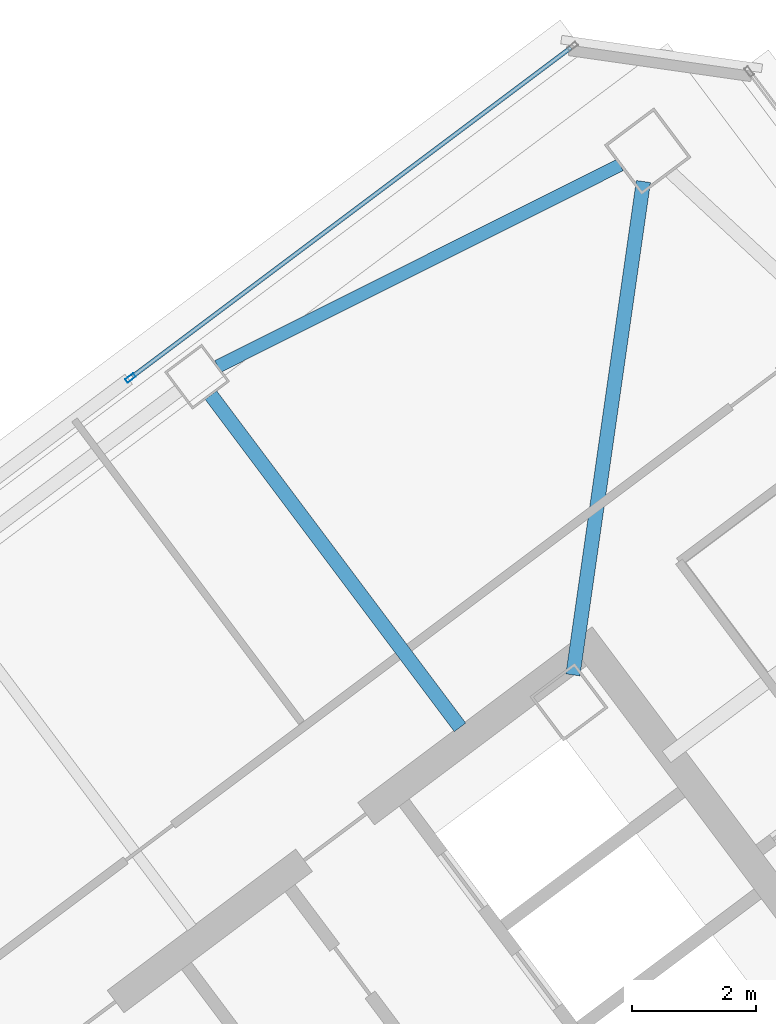
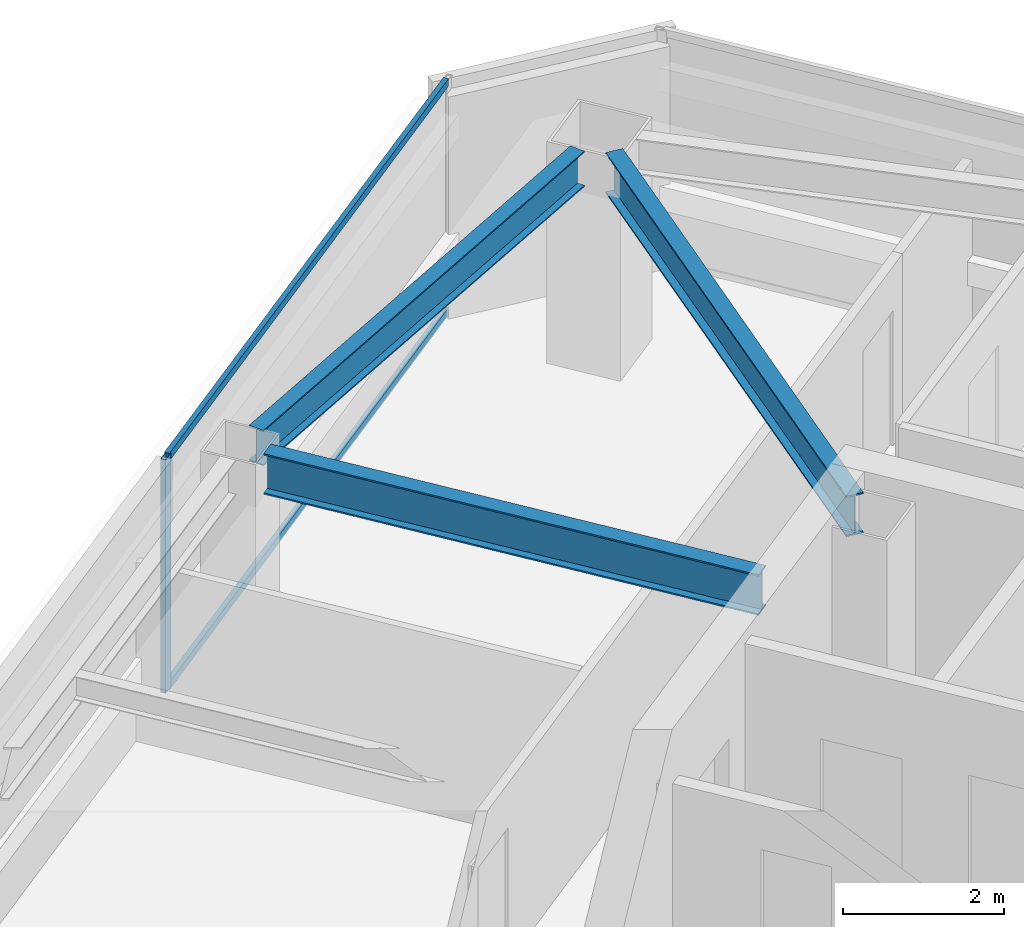
# One storey, part 26 of 39: 3 beams, 3 members, 1 element without a shape of its own.
"""IFC4 building model written with IfcOpenShell, lengths in metres."""

from ifc_helpers import new_model, si_unit, direction, frame, origin, origin_2d, place, context, subcontext, project, spatial, hollow_rectangle, i_section, extrude, material, material_profile, profile_set, type_object, element, aggregate, save


model = new_model("IFC4")

# Units and contexts
model_context = context("Model", 3, precision=1e-05, world=origin(), true_north=direction((0.0, 1.0)))
body_context = subcontext(model_context, "Body", "Model", "MODEL_VIEW")
ifc_project = project(units=[si_unit("LENGTHUNIT", "METRE"), si_unit("AREAUNIT", "SQUARE_METRE"), si_unit("VOLUMEUNIT", "CUBIC_METRE"), si_unit("PLANEANGLEUNIT", "RADIAN"), si_unit("MASSUNIT", "GRAM", prefix="KILO")], contexts=[model_context])

# Site, building, storey
site_placement = place(None, origin())
site = spatial("IfcSite", under=ifc_project, at=site_placement, CompositionType="ELEMENT")
building_placement = place(site_placement, origin())
building = spatial("IfcBuilding", under=site, at=building_placement, Name="Tashvorn Skyway Center", CompositionType="ELEMENT")
storey_placement = place(building_placement, frame((0.0, 0.0, 207.75)))
storey = spatial("IfcBuildingStorey", under=building, at=storey_placement, Name="L56", CompositionType="ELEMENT", Elevation=207.75)

# Beams
ifc_material_1 = material(Name="Steel ASTM A992 Grade 50", Category="steel")
ifc_material_profile_1 = material_profile(ifc_material_1, i_section(OverallWidth=0.22998046875, OverallDepth=0.616943359375, WebThickness=0.01318359375, FlangeThickness=0.022216796875, at=origin_2d()), Name="W24X94")
ifc_profile_set_1 = profile_set([ifc_material_profile_1], Name="Steel ASTM A992 Grade 50")
beam_type_1 = type_object("IfcBeamType", Name="BM-BEAM-W24X94", PredefinedType="BEAM", material=ifc_profile_set_1)
beam_1_placement = place(storey_placement, frame((116.610107421875, 50.27001953125, 3.0615234375), z_axis=(-0.141438360399, -0.989947064346, 0.0), x_axis=(0.989947064346, -0.141438360399, 0.0)))
element("IfcBeam", 1, at=beam_1_placement, inside=storey, type_object=beam_type_1, Name="Tower 2 L56 Primary Floor Girder MC-NE", PredefinedType="BEAM", context=body_context, shape_type="SweptSolid", body=[
    extrude(i_section(OverallWidth=0.22998046875, OverallDepth=0.616943359375, WebThickness=0.01318359375, FlangeThickness=0.022216796875, at=origin_2d()), origin(), (0.0, 0.0, 1.0), 8.040283203125),
])
beam_2_placement = place(storey_placement, frame((109.632080078125, 46.823974609375, 3.0615234375), z_axis=(0.600011660554, -0.799991254452, 0.0), x_axis=(0.799991254452, 0.600011660554, 0.0)))
element("IfcBeam", 2, at=beam_2_placement, inside=storey, type_object=beam_type_1, Name="Tower 2 L56 Primary Floor Girder FC-N1", PredefinedType="BEAM", context=body_context, shape_type="SweptSolid", body=[
    extrude(i_section(OverallWidth=0.22998046875, OverallDepth=0.616943359375, WebThickness=0.01318359375, FlangeThickness=0.022216796875, at=origin_2d()), origin(), (0.0, 0.0, 1.0), 6.699951171875),
])
ifc_material_profile_2 = material_profile(ifc_material_1, i_section(OverallWidth=0.2109375, OverallDepth=0.5390625, WebThickness=0.01171875, FlangeThickness=0.018798828125, at=origin_2d()), Name="W21X73")
ifc_profile_set_2 = profile_set([ifc_material_profile_2], Name="Steel ASTM A992 Grade 50")
beam_type_2 = type_object("IfcBeamType", Name="BM-SPANDREL-W21X73", PredefinedType="SPANDREL", material=ifc_profile_set_2)
beam_3_placement = place(storey_placement, frame((116.2373046875, 50.538330078125, 3.1005859375), z_axis=(-0.894178380472, -0.447710870872, 0.0), x_axis=(0.447710870872, -0.894178380472, 0.0)))
element("IfcBeam", 3, at=beam_3_placement, inside=storey, type_object=beam_type_2, Name="Tower 2 L56 Spandrel Beam 07", PredefinedType="SPANDREL", context=body_context, shape_type="SweptSolid", body=[
    extrude(i_section(OverallWidth=0.2109375, OverallDepth=0.5390625, WebThickness=0.01171875, FlangeThickness=0.018798828125, at=origin_2d()), origin(), (0.0, 0.0, 1.0), 7.26513671875),
])

# Curtain wall, members
ifc_material_2 = material(Name="Thermally broken bronze-anodized aluminium 6063-T6", Category="aluminium")
curtain_wall_type = type_object("IfcCurtainWallType", Name="CW-CW-Z5", PredefinedType="NOTDEFINED", material=ifc_material_2)
curtain_wall_placement = place(storey_placement, origin())
curtain_wall = element("IfcCurtainWall", 4, at=curtain_wall_placement, inside=storey, type_object=curtain_wall_type, Name="Tower 2 L56 North Unitised Curtain Wall Glazing Group 2", PredefinedType="NOTDEFINED")
ifc_material_profile_3 = material_profile(ifc_material_2, hollow_rectangle(XDim=0.070068359375, YDim=0.1650390625, WallThickness=0.00390625, at=origin_2d()), Name="ALU-MULL-70x165")
ifc_profile_set_3 = profile_set([ifc_material_profile_3], Name="Thermally broken bronze-anodized aluminium 6063-T6")
member_type_1 = type_object("IfcMemberType", Name="CWM-CW-Z5", PredefinedType="MULLION", material=ifc_profile_set_3)
member_1_placement = place(storey_placement, frame((108.334716796875, 47.10107421875, 0.0), z_axis=(0.0, 0.0, 1.0), x_axis=(-0.600001780418, 0.799998664683, 0.0)))
member_1 = element("IfcMember", 5, at=member_1_placement, type_object=member_type_1, Name="CW-Z5 mullion 1", PredefinedType="MULLION", context=body_context, shape_type="SweptSolid", body=[
    extrude(hollow_rectangle(XDim=0.070068359375, YDim=0.1650390625, WallThickness=0.00390625, at=origin_2d()), origin(), (0.0, 0.0, 1.0), 3.550048828125),
])
ifc_material_profile_4 = material_profile(ifc_material_2, hollow_rectangle(XDim=0.070068359375, YDim=0.114990234375, WallThickness=0.00390625, at=origin_2d()), Name="ALU-TRAN-70x115")
ifc_profile_set_4 = profile_set([ifc_material_profile_4], Name="Thermally broken bronze-anodized aluminium 6063-T6")
member_type_2 = type_object("IfcMemberType", Name="CWT-CW-Z5", PredefinedType="USERDEFINED", material=ifc_profile_set_4)
member_2_placement = place(storey_placement, frame((108.36279296875, 47.1220703125, 0.034912109375), z_axis=(0.8, 0.6, 0.0), x_axis=(-0.6, 0.8, 0.0)))
member_2 = element("IfcMember", 6, at=member_2_placement, type_object=member_type_2, Name="CW-Z5 transom 1.1", ObjectType="TRANSOM", PredefinedType="USERDEFINED", context=body_context, shape_type="SweptSolid", body=[
    extrude(hollow_rectangle(XDim=0.070068359375, YDim=0.114990234375, WallThickness=0.00390625, at=origin_2d()), origin(), (0.0, 0.0, 1.0), 8.846435546875),
])
member_3_placement = place(storey_placement, frame((108.36279296875, 47.1220703125, 3.514892578125), z_axis=(0.8, 0.6, 0.0), x_axis=(-0.6, 0.8, 0.0)))
member_3 = element("IfcMember", 7, at=member_3_placement, type_object=member_type_2, Name="CW-Z5 transom 1.2", ObjectType="TRANSOM", PredefinedType="USERDEFINED", context=body_context, shape_type="SweptSolid", body=[
    extrude(hollow_rectangle(XDim=0.070068359375, YDim=0.114990234375, WallThickness=0.00390625, at=origin_2d()), origin(), (0.0, 0.0, 1.0), 8.846435546875),
])
aggregate(curtain_wall, [member_1, member_2, member_3])

save(model, "model.ifc")
